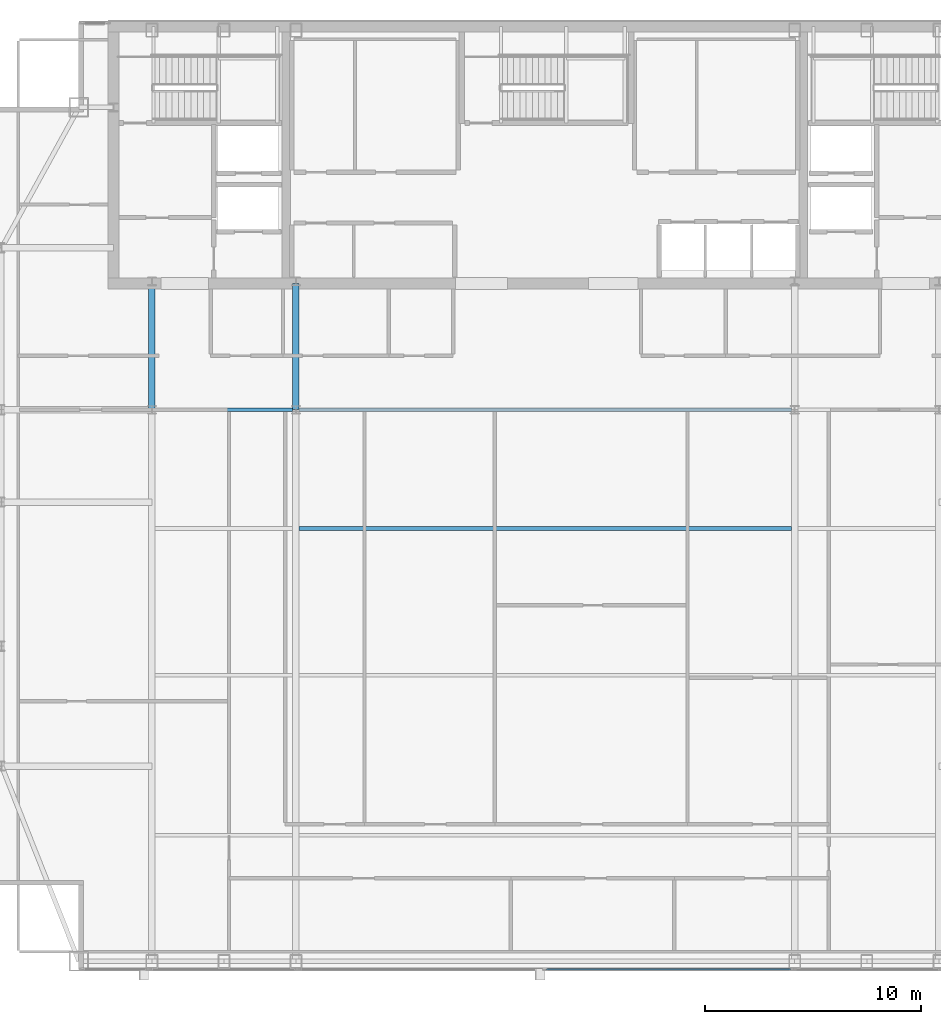
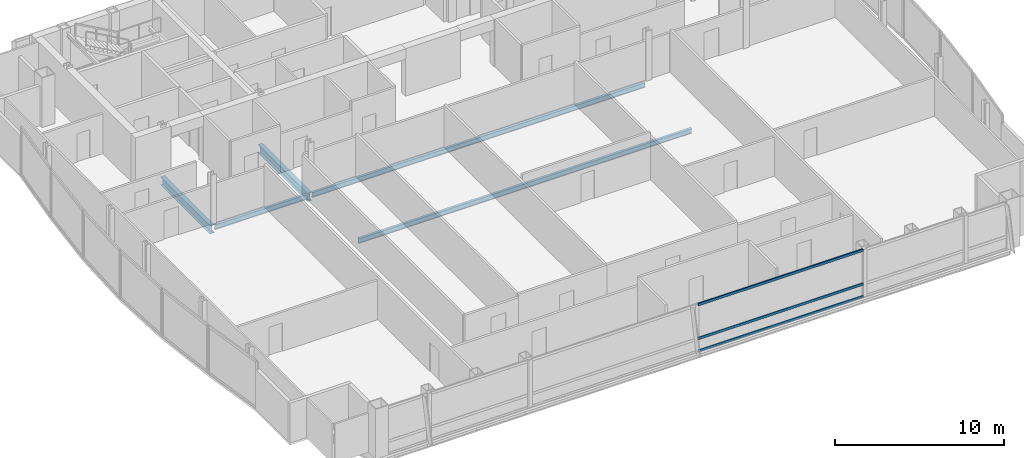
# One storey, part 11 of 26: 5 beams, 3 members, 1 element without a shape of its own.
"""IFC4 building model written with IfcOpenShell, lengths in metres."""

from ifc_helpers import new_model, si_unit, direction, frame, origin, origin_2d, place, context, subcontext, project, spatial, hollow_rectangle, i_section, extrude, material, material_profile, profile_set, type_object, element, aggregate, save


model = new_model("IFC4")

# Units and contexts
model_context = context("Model", 3, precision=1e-05, world=origin(), true_north=direction((0.0, 1.0)))
body_context = subcontext(model_context, "Body", "Model", "MODEL_VIEW")
ifc_project = project(units=[si_unit("LENGTHUNIT", "METRE"), si_unit("AREAUNIT", "SQUARE_METRE"), si_unit("VOLUMEUNIT", "CUBIC_METRE"), si_unit("PLANEANGLEUNIT", "RADIAN"), si_unit("MASSUNIT", "GRAM", prefix="KILO")], contexts=[model_context])

# Site, building, storey
site_placement = place(None, origin())
site = spatial("IfcSite", under=ifc_project, at=site_placement, CompositionType="ELEMENT")
building_placement = place(site_placement, origin())
building = spatial("IfcBuilding", under=site, at=building_placement, Name="Khoronbel Lancet Exchange", CompositionType="ELEMENT")
storey_placement = place(building_placement, frame((0.0, 0.0, 339.800048828125)))
storey = spatial("IfcBuildingStorey", under=building, at=storey_placement, Name="L88", CompositionType="ELEMENT", Elevation=339.800048828125)

# Beams
ifc_material_1 = material(Name="Steel S355", Category="steel")
ifc_material_profile_1 = material_profile(ifc_material_1, i_section(OverallWidth=0.300048828125, OverallDepth=0.60009765625, WebThickness=0.015380859375, FlangeThickness=0.030029296875, at=origin_2d()), Name="HEB 600")
ifc_profile_set_1 = profile_set([ifc_material_profile_1], Name="Steel S355")
beam_type_1 = type_object("IfcBeamType", Name="BM-BG5", PredefinedType="BEAM", material=ifc_profile_set_1)
for number, where, z_axis, x_axis, name in (
    (1, (18.22509765625, 35.699951171875, -0.4599609375), (0.0, 1.0, 0.0), (-1.0, 0.0, 0.0), "Level L88 spine tie girder GN1"),
    (2, (24.89990234375, 35.699951171875, -0.4599609375), (0.0, 1.0, 0.0), (-1.0, 0.0, 0.0), "Level L88 spine tie girder GN2"),
):
    element("IfcBeam", number, at=place(storey_placement, frame(where, z_axis=z_axis, x_axis=x_axis)), inside=storey, type_object=beam_type_1, Name=name, PredefinedType="BEAM", context=body_context, shape_type="SweptSolid", body=[
        extrude(i_section(OverallWidth=0.300048828125, OverallDepth=0.60009765625, WebThickness=0.015380859375, FlangeThickness=0.030029296875, at=origin_2d()), origin(), (0.0, 0.0, 1.0), 5.85009765625),
    ])
ifc_material_profile_2 = material_profile(ifc_material_1, i_section(OverallWidth=0.169921875, OverallDepth=0.360107421875, WebThickness=0.008056640625, FlangeThickness=0.0126953125, at=origin_2d()), Name="IPE 360")
ifc_profile_set_2 = profile_set([ifc_material_profile_2], Name="Steel S355")
beam_type_2 = type_object("IfcBeamType", Name="BM-BJ6", PredefinedType="JOIST", material=ifc_profile_set_2)
beam_1_placement = place(storey_placement, frame((25.050048828125, 30.199951171875, -0.340087890625), z_axis=(1.0, 0.0, 0.0), x_axis=(0.0, 1.0, 0.0)))
element("IfcBeam", 3, at=beam_1_placement, inside=storey, type_object=beam_type_2, Name="Level L88 secondary composite joist J08", PredefinedType="JOIST", context=body_context, shape_type="SweptSolid", body=[
    extrude(i_section(OverallWidth=0.169921875, OverallDepth=0.360107421875, WebThickness=0.008056640625, FlangeThickness=0.0126953125, at=origin_2d()), origin(), (0.0, 0.0, 1.0), 22.800048828125),
])
beam_2_placement = place(storey_placement, frame((18.375, 35.699951171875, -0.340087890625), z_axis=(1.0, 0.0, 0.0), x_axis=(0.0, 1.0, 0.0)))
element("IfcBeam", 4, at=beam_2_placement, inside=storey, type_object=beam_type_2, Name="Level L88 secondary composite joist J10", PredefinedType="JOIST", context=body_context, shape_type="SweptSolid", body=[
    extrude(i_section(OverallWidth=0.169921875, OverallDepth=0.360107421875, WebThickness=0.008056640625, FlangeThickness=0.0126953125, at=origin_2d()), origin(), (0.0, 0.0, 1.0), 6.375),
])
beam_3_placement = place(storey_placement, frame((25.050048828125, 35.699951171875, -0.340087890625), z_axis=(1.0, 0.0, 0.0), x_axis=(0.0, 1.0, 0.0)))
element("IfcBeam", 5, at=beam_3_placement, inside=storey, type_object=beam_type_2, Name="Level L88 secondary composite joist J11", PredefinedType="JOIST", context=body_context, shape_type="SweptSolid", body=[
    extrude(i_section(OverallWidth=0.169921875, OverallDepth=0.360107421875, WebThickness=0.008056640625, FlangeThickness=0.0126953125, at=origin_2d()), origin(), (0.0, 0.0, 1.0), 22.800048828125),
])

# Curtain wall, members
ifc_material_2 = material(Name="Low-E Solar Control Insulating Glass", Category="glass")
curtain_wall_type = type_object("IfcCurtainWallType", Name="CW-3", PredefinedType="NOTDEFINED", material=ifc_material_2)
curtain_wall_placement = place(storey_placement, origin())
curtain_wall = element("IfcCurtainWall", 6, at=curtain_wall_placement, inside=storey, type_object=curtain_wall_type, Name="Unitised curtain wall CW-L88-SCV", PredefinedType="NOTDEFINED")
ifc_material_3 = material(Name="Bronze-Anodised Aluminium 6063-T6", Category="aluminium")
ifc_material_profile_3 = material_profile(ifc_material_3, hollow_rectangle(XDim=0.0849609375, YDim=0.179931640625, WallThickness=0.0048828125, at=origin_2d()), Name="ALU TRANSOM 85x180")
ifc_profile_set_3 = profile_set([ifc_material_profile_3], Name="Bronze-Anodised Aluminium 6063-T6")
member_type = type_object("IfcMemberType", Name="MEM-CWT1", PredefinedType="USERDEFINED", material=ifc_profile_set_3)
member_1_placement = place(storey_placement, frame((36.492431640625, 9.7900390625, 0.04248046875), z_axis=(1.0, 0.0, 0.0), x_axis=(0.0, 1.0, 0.0)))
member_1 = element("IfcMember", 7, at=member_1_placement, type_object=member_type, Name="CW3 transom 2.1", ObjectType="TRANSOM", PredefinedType="USERDEFINED", context=body_context, shape_type="SweptSolid", body=[
    extrude(hollow_rectangle(XDim=0.0849609375, YDim=0.179931640625, WallThickness=0.0048828125, at=origin_2d()), origin(), (0.0, 0.0, 1.0), 11.322509765625),
])
member_2_placement = place(storey_placement, frame((36.492431640625, 9.7900390625, 0.949951171875), z_axis=(1.0, 0.0, 0.0), x_axis=(0.0, 1.0, 0.0)))
member_2 = element("IfcMember", 8, at=member_2_placement, type_object=member_type, Name="CW3 transom 2.2", ObjectType="TRANSOM", PredefinedType="USERDEFINED", context=body_context, shape_type="SweptSolid", body=[
    extrude(hollow_rectangle(XDim=0.0849609375, YDim=0.179931640625, WallThickness=0.0048828125, at=origin_2d()), origin(), (0.0, 0.0, 1.0), 11.322509765625),
])
member_3_placement = place(storey_placement, frame((36.492431640625, 9.7900390625, 3.3974609375), z_axis=(1.0, 0.0, 0.0), x_axis=(0.0, 1.0, 0.0)))
member_3 = element("IfcMember", 9, at=member_3_placement, type_object=member_type, Name="CW3 transom 2.3", ObjectType="TRANSOM", PredefinedType="USERDEFINED", context=body_context, shape_type="SweptSolid", body=[
    extrude(hollow_rectangle(XDim=0.0849609375, YDim=0.179931640625, WallThickness=0.0048828125, at=origin_2d()), origin(), (0.0, 0.0, 1.0), 11.322509765625),
])
aggregate(curtain_wall, [member_1, member_2, member_3])

save(model, "model.ifc")
